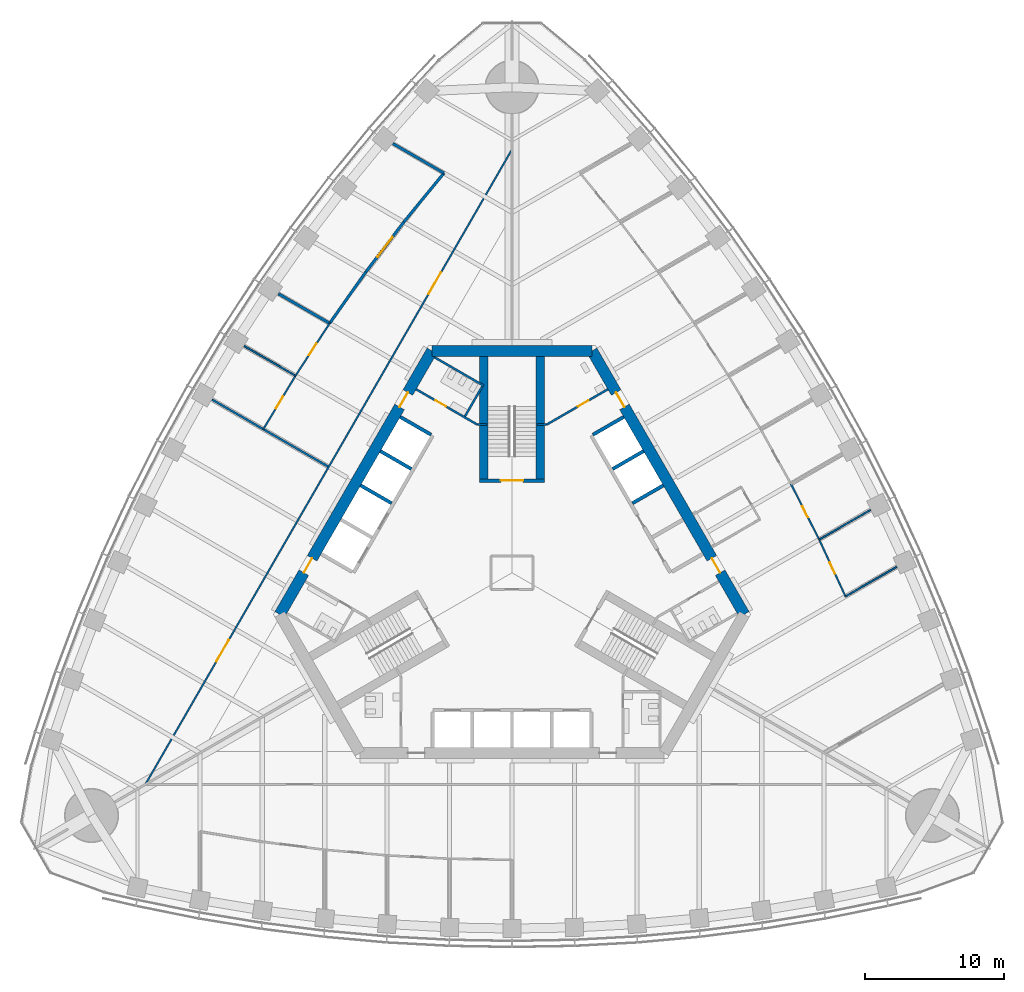
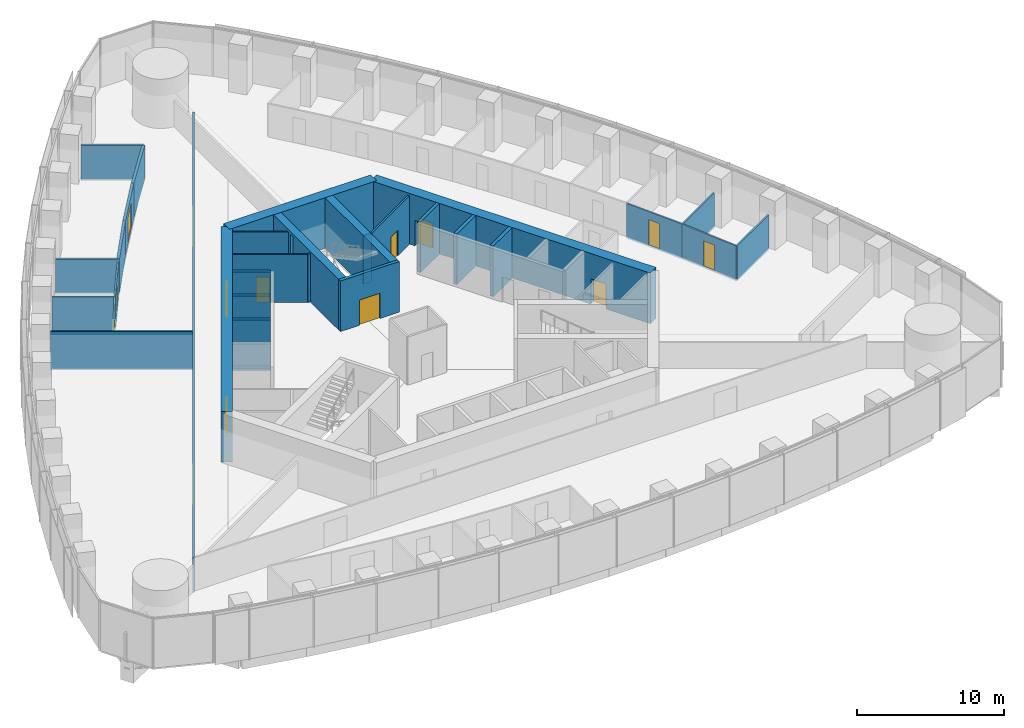
# One storey, part 13 of 19: 32 walls, 14 doors, 14 openings.
"""IFC4 building model written with IfcOpenShell, lengths in metres."""

from ifc_helpers import new_model, si_unit, direction, frame, frame_2d, origin, place, context, subcontext, project, spatial, rectangle, extrude, material, layer, layer_set, type_object, element, fill, save


model = new_model("IFC4")

# Units and contexts
model_context = context("Model", 3, precision=1e-05, world=origin(), true_north=direction((0.0, 1.0)))
body_context = subcontext(model_context, "Body", "Model", "MODEL_VIEW")
ifc_project = project(units=[si_unit("LENGTHUNIT", "METRE"), si_unit("AREAUNIT", "SQUARE_METRE"), si_unit("VOLUMEUNIT", "CUBIC_METRE"), si_unit("PLANEANGLEUNIT", "RADIAN"), si_unit("MASSUNIT", "GRAM", prefix="KILO")], contexts=[model_context])

# Site, building, storey
site_placement = place(None, origin())
site = spatial("IfcSite", under=ifc_project, at=site_placement, CompositionType="ELEMENT")
building_placement = place(site_placement, origin())
building = spatial("IfcBuilding", under=site, at=building_placement, Name="Trefoil Bronze Tower", CompositionType="ELEMENT")
storey_placement = place(building_placement, frame((0.0, 0.0, 136.699951171875)))
storey = spatial("IfcBuildingStorey", under=building, at=storey_placement, Name="L31", CompositionType="ELEMENT", Elevation=136.699951171875)

# Wall
ifc_material_1 = material(Name="Gypsum board on steel studs", Category="steel")
ifc_layer_1 = layer(ifc_material_1, 0.199951171875)
ifc_layer_set_1 = layer_set([ifc_layer_1], Name="Acoustic partition 200")
wall_type_1 = type_object("IfcWallType", Name="Acoustic partition 200", PredefinedType="PARTITIONING", material=ifc_layer_set_1)
wall_1_placement = place(storey_placement, frame((-10.542724609375, 21.67529296875, 0.0), z_axis=(0.0, 0.0, 1.0), x_axis=(-0.575987178736, -0.817458726745, 0.0)))
element("IfcWall", 1, at=wall_1_placement, inside=storey, type_object=wall_type_1, Name="Partition F3 L31", PredefinedType="PARTITIONING", context=body_context, shape_type="SweptSolid", body=[
    extrude(rectangle(XDim=4.518310546875, YDim=0.199951171875, at=frame_2d((2.25927734375, 0.0))), origin(), (0.0, 0.0, 1.0), 2.900146484375),
])

# Wall, opening, door
wall_2_placement = place(storey_placement, frame((-7.797119140625, 25.2861328125, 0.0), z_axis=(0.0, 0.0, 1.0), x_axis=(-0.605274299339, -0.796016973789, 0.0)))
wall_2 = element("IfcWall", 2, at=wall_2_placement, inside=storey, type_object=wall_type_1, Name="Partition F3 L31", PredefinedType="PARTITIONING", context=body_context, shape_type="SweptSolid", body=[
    extrude(rectangle(XDim=4.5361328125, YDim=0.199951171875, at=frame_2d((2.26806640625, 0.0))), origin(), (0.0, 0.0, 1.0), 2.900146484375),
])
opening_1_placement = place(wall_2_placement, frame((1.35009765625, 0.0, 0.14990234375)))
opening_1 = element("IfcOpeningElement", 3, at=opening_1_placement, cuts=wall_2, Name="Opening D10", PredefinedType="OPENING", context=body_context, shape_type="SweptSolid", body=[
    extrude(rectangle(XDim=1.800048828125, YDim=2.10009765625, at=frame_2d((0.89990234375, 1.050048828125))), frame((0.0, 0.10986328125, 0.0), z_axis=(0.0, -1.0, 0.0), x_axis=(1.0, 0.0, 0.0)), (0.0, 0.0, 1.0), 0.219970703125),
])
ifc_material_2 = material(Name="Timber door", Category="wood")
door_type_1 = type_object("IfcDoorType", Name="Double door 1800", OperationType="DOUBLE_DOOR_SINGLE_SWING", PredefinedType="DOOR", material=ifc_material_2)
door_1_placement = place(opening_1_placement, origin())
door_1 = element("IfcDoor", 4, at=door_1_placement, inside=storey, type_object=door_type_1, Name="Training room door F3 L31", OperationType="DOUBLE_DOOR_SINGLE_SWING", OverallHeight=2.10009765625, OverallWidth=1.800048828125, PredefinedType="DOOR", context=body_context, shape_type="SweptSolid", body=[
    extrude(rectangle(XDim=1.800048828125, YDim=2.10009765625, at=frame_2d((0.89990234375, 1.050048828125))), frame((0.0, 0.02490234375, 0.0), z_axis=(0.0, -1.0, 0.0), x_axis=(1.0, 0.0, 0.0)), (0.0, 0.0, 1.0), 0.050048828125),
])
fill(opening_1, door_1)

# Walls
wall_3_placement = place(storey_placement, frame((-4.906494140625, 28.8134765625, 0.0), z_axis=(0.0, 0.0, 1.0), x_axis=(-0.633843962561, -0.773460943503, 0.0)))
element("IfcWall", 5, at=wall_3_placement, inside=storey, type_object=wall_type_1, Name="Partition F3 L31", PredefinedType="PARTITIONING", context=body_context, shape_type="SweptSolid", body=[
    extrude(rectangle(XDim=4.560546875, YDim=0.199951171875, at=frame_2d((2.2802734375, 0.0))), origin(), (0.0, 0.0, 1.0), 2.900146484375),
])
wall_4_placement = place(storey_placement, frame((-4.906494140625, 28.8134765625, 0.0), z_axis=(0.0, 0.0, 1.0), x_axis=(-0.866022790583, 0.50000452617, 0.0)))
element("IfcWall", 6, at=wall_4_placement, inside=storey, type_object=wall_type_1, Name="Partition F3 L31", PredefinedType="PARTITIONING", context=body_context, shape_type="SweptSolid", body=[
    extrude(rectangle(XDim=4.24560546875, YDim=0.199951171875, at=frame_2d((2.122802734375, 0.0))), origin(), (0.0, 0.0, 1.0), 2.900146484375),
])
wall_5_placement = place(storey_placement, frame((-13.145263671875, 17.981689453125, 0.0), z_axis=(0.0, 0.0, 1.0), x_axis=(-0.86602643523, 0.49999821348, 0.0)))
element("IfcWall", 7, at=wall_5_placement, inside=storey, type_object=wall_type_1, Name="Partition F3 L31", PredefinedType="PARTITIONING", context=body_context, shape_type="SweptSolid", body=[
    extrude(rectangle(XDim=4.26611328125, YDim=0.199951171875, at=frame_2d((2.133056640625, 0.0))), origin(), (0.0, 0.0, 1.0), 2.900146484375),
])

# Wall, openings, doors
ifc_material_3 = material(Name="Concrete B80", Category="concrete")
ifc_layer_2 = layer(ifc_material_3, 0.800048828125)
ifc_layer_set_2 = layer_set([ifc_layer_2], Name="Core wall 800")
wall_type_2 = type_object("IfcWallType", Name="Core wall 800", PredefinedType="SHEAR", material=ifc_layer_set_2)
wall_6_placement = place(storey_placement, frame((16.7431640625, -3.0, 0.0), z_axis=(0.0, 0.0, 1.0), x_axis=(-0.500002442456, 0.866023993627, 0.0)))
wall_6 = element("IfcWall", 8, at=wall_6_placement, inside=storey, type_object=wall_type_2, Name="Core long wall 2 L31", PredefinedType="SHEAR", context=body_context, shape_type="SweptSolid", body=[
    extrude(rectangle(XDim=21.939453125, YDim=0.800048828125, at=frame_2d((10.9697265625, 0.0))), origin(), (0.0, 0.0, 1.0), 4.199951171875),
])
opening_2_placement = place(wall_6_placement, frame((17.269775390625, 0.0, 0.0)))
opening_2 = element("IfcOpeningElement", 9, at=opening_2_placement, cuts=wall_6, Name="Opening D2", PredefinedType="OPENING", context=body_context, shape_type="SweptSolid", body=[
    extrude(rectangle(XDim=1.199951171875, YDim=2.10009765625, at=frame_2d((0.60009765625, 1.050048828125))), frame((0.0, 0.409912109375, 0.0), z_axis=(0.0, -1.0, 0.0), x_axis=(1.0, 0.0, 0.0)), (0.0, 0.0, 1.0), 0.820068359375),
])
opening_3_placement = place(wall_6_placement, frame((3.4697265625, 0.0, 0.0)))
opening_3 = element("IfcOpeningElement", 10, at=opening_3_placement, cuts=wall_6, Name="Opening D2", PredefinedType="OPENING", context=body_context, shape_type="SweptSolid", body=[
    extrude(rectangle(XDim=1.199951171875, YDim=2.10009765625, at=frame_2d((0.60009765625, 1.050048828125))), frame((0.0, 0.409912109375, 0.0), z_axis=(0.0, -1.0, 0.0), x_axis=(1.0, 0.0, 0.0)), (0.0, 0.0, 1.0), 0.820068359375),
])
ifc_material_4 = material(Name="Steel door", Category="steel")
door_type_2 = type_object("IfcDoorType", Name="Lobby door 1200", OperationType="SINGLE_SWING_RIGHT", PredefinedType="DOOR", material=ifc_material_4)
door_2_placement = place(opening_2_placement, origin())
door_2 = element("IfcDoor", 11, at=door_2_placement, inside=storey, type_object=door_type_2, Name="Lobby door F2+ L31", OperationType="SINGLE_SWING_RIGHT", OverallHeight=2.10009765625, OverallWidth=1.199951171875, PredefinedType="DOOR", context=body_context, shape_type="SweptSolid", body=[
    extrude(rectangle(XDim=1.199951171875, YDim=2.10009765625, at=frame_2d((0.60009765625, 1.050048828125))), frame((0.0, 0.02490234375, 0.0), z_axis=(0.0, -1.0, 0.0), x_axis=(1.0, 0.0, 0.0)), (0.0, 0.0, 1.0), 0.050048828125),
])
fill(opening_2, door_2)
door_3_placement = place(opening_3_placement, origin())
door_3 = element("IfcDoor", 12, at=door_3_placement, inside=storey, type_object=door_type_2, Name="Lobby door F2- L31", OperationType="SINGLE_SWING_LEFT", OverallHeight=2.10009765625, OverallWidth=1.199951171875, PredefinedType="DOOR", context=body_context, shape_type="SweptSolid", body=[
    extrude(rectangle(XDim=1.199951171875, YDim=2.10009765625, at=frame_2d((0.60009765625, 1.050048828125))), frame((0.0, 0.02490234375, 0.0), z_axis=(0.0, -1.0, 0.0), x_axis=(1.0, 0.0, 0.0)), (0.0, 0.0, 1.0), 0.050048828125),
])
fill(opening_3, door_3)

# Wall
wall_7_placement = place(storey_placement, frame((5.7734375, 16.0, 0.0), z_axis=(0.0, 0.0, 1.0), x_axis=(-1.0, 0.0, 0.0)))
element("IfcWall", 13, at=wall_7_placement, inside=storey, type_object=wall_type_2, Name="Core short wall 2 L31", PredefinedType="SHEAR", context=body_context, shape_type="SweptSolid", body=[
    extrude(rectangle(XDim=11.546875, YDim=0.800048828125, at=frame_2d((5.7734375, 0.0))), origin(), (0.0, 0.0, 1.0), 4.199951171875),
])

# Wall, openings, doors
wall_8_placement = place(storey_placement, frame((-5.7734375, 16.0, 0.0), z_axis=(0.0, 0.0, 1.0), x_axis=(-0.500002442456, -0.866023993627, 0.0)))
wall_8 = element("IfcWall", 14, at=wall_8_placement, inside=storey, type_object=wall_type_2, Name="Core long wall 3 L31", PredefinedType="SHEAR", context=body_context, shape_type="SweptSolid", body=[
    extrude(rectangle(XDim=21.939453125, YDim=0.800048828125, at=frame_2d((10.9697265625, 0.0))), origin(), (0.0, 0.0, 1.0), 4.199951171875),
])
opening_4_placement = place(wall_8_placement, frame((17.269775390625, 0.0, 0.0)))
opening_4 = element("IfcOpeningElement", 15, at=opening_4_placement, cuts=wall_8, Name="Opening D2", PredefinedType="OPENING", context=body_context, shape_type="SweptSolid", body=[
    extrude(rectangle(XDim=1.199951171875, YDim=2.10009765625, at=frame_2d((0.60009765625, 1.050048828125))), frame((0.0, 0.409912109375, 0.0), z_axis=(0.0, -1.0, 0.0), x_axis=(1.0, 0.0, 0.0)), (0.0, 0.0, 1.0), 0.820068359375),
])
opening_5_placement = place(wall_8_placement, frame((3.4697265625, 0.0, 0.0)))
opening_5 = element("IfcOpeningElement", 16, at=opening_5_placement, cuts=wall_8, Name="Opening D2", PredefinedType="OPENING", context=body_context, shape_type="SweptSolid", body=[
    extrude(rectangle(XDim=1.199951171875, YDim=2.10009765625, at=frame_2d((0.60009765625, 1.050048828125))), frame((0.0, 0.409912109375, 0.0), z_axis=(0.0, -1.0, 0.0), x_axis=(1.0, 0.0, 0.0)), (0.0, 0.0, 1.0), 0.820068359375),
])
door_4_placement = place(opening_4_placement, origin())
door_4 = element("IfcDoor", 17, at=door_4_placement, inside=storey, type_object=door_type_2, Name="Lobby door F3+ L31", OperationType="SINGLE_SWING_RIGHT", OverallHeight=2.10009765625, OverallWidth=1.199951171875, PredefinedType="DOOR", context=body_context, shape_type="SweptSolid", body=[
    extrude(rectangle(XDim=1.199951171875, YDim=2.10009765625, at=frame_2d((0.60009765625, 1.050048828125))), frame((0.0, 0.02490234375, 0.0), z_axis=(0.0, -1.0, 0.0), x_axis=(1.0, 0.0, 0.0)), (0.0, 0.0, 1.0), 0.050048828125),
])
fill(opening_4, door_4)
door_5_placement = place(opening_5_placement, origin())
door_5 = element("IfcDoor", 18, at=door_5_placement, inside=storey, type_object=door_type_2, Name="Lobby door F3- L31", OperationType="SINGLE_SWING_LEFT", OverallHeight=2.10009765625, OverallWidth=1.199951171875, PredefinedType="DOOR", context=body_context, shape_type="SweptSolid", body=[
    extrude(rectangle(XDim=1.199951171875, YDim=2.10009765625, at=frame_2d((0.60009765625, 1.050048828125))), frame((0.0, 0.02490234375, 0.0), z_axis=(0.0, -1.0, 0.0), x_axis=(1.0, 0.0, 0.0)), (0.0, 0.0, 1.0), 0.050048828125),
])
fill(opening_5, door_5)

# Wall, opening, door
ifc_material_5 = material(Name="Glazed partition", Category="glass")
ifc_layer_3 = layer(ifc_material_5, 0.1201171875)
ifc_layer_set_3 = layer_set([ifc_layer_3], Name="Glazed partition 120")
wall_type_3 = type_object("IfcWallType", Name="Glazed partition 120", PredefinedType="PARTITIONING", material=ifc_layer_set_3)
wall_9_placement = place(storey_placement, frame((24.042724609375, -1.70751953125, 0.0), z_axis=(0.0, 0.0, 1.0), x_axis=(-0.41992827805, 0.90755729367, 0.0)))
wall_9 = element("IfcWall", 19, at=wall_9_placement, inside=storey, type_object=wall_type_3, Name="Partition F2 L31", PredefinedType="PARTITIONING", context=body_context, shape_type="SweptSolid", body=[
    extrude(rectangle(XDim=4.5185546875, YDim=0.1201171875, at=frame_2d((2.25927734375, 0.0))), origin(), (0.0, 0.0, 1.0), 2.900146484375),
])
opening_6_placement = place(wall_9_placement, frame((1.800048828125, 0.0, 0.14990234375)))
opening_6 = element("IfcOpeningElement", 20, at=opening_6_placement, cuts=wall_9, Name="Opening D8", PredefinedType="OPENING", context=body_context, shape_type="SweptSolid", body=[
    extrude(rectangle(XDim=0.89990234375, YDim=2.10009765625, at=frame_2d((0.449951171875, 1.050048828125))), frame((0.0, 0.070068359375, 0.0), z_axis=(0.0, -1.0, 0.0), x_axis=(1.0, 0.0, 0.0)), (0.0, 0.0, 1.0), 0.14013671875),
])
ifc_material_6 = material(Name="Timber door", Category="wood")
door_type_3 = type_object("IfcDoorType", Name="Office door 900", OperationType="SINGLE_SWING_LEFT", PredefinedType="DOOR", material=ifc_material_6)
door_6_placement = place(opening_6_placement, frame((0.89990234375, 0.0, 0.0), z_axis=(0.0, 0.0, 1.0), x_axis=(-1.0, 0.0, 0.0)))
door_6 = element("IfcDoor", 21, at=door_6_placement, inside=storey, type_object=door_type_3, Name="Office door F2 L31", OperationType="SINGLE_SWING_RIGHT", OverallHeight=2.10009765625, OverallWidth=0.89990234375, PredefinedType="DOOR", context=body_context, shape_type="SweptSolid", body=[
    extrude(rectangle(XDim=0.89990234375, YDim=2.10009765625, at=frame_2d((0.449951171875, 1.050048828125))), frame((0.0, 0.02490234375, 0.0), z_axis=(0.0, -1.0, 0.0), x_axis=(1.0, 0.0, 0.0)), (0.0, 0.0, 1.0), 0.050048828125),
])
fill(opening_6, door_6)

wall_10_placement = place(storey_placement, frame((22.145263671875, 2.393310546875, 0.0), z_axis=(0.0, 0.0, 1.0), x_axis=(-0.452471679136, 0.891778772779, 0.0)))
wall_10 = element("IfcWall", 22, at=wall_10_placement, inside=storey, type_object=wall_type_3, Name="Partition F2 L31", PredefinedType="PARTITIONING", context=body_context, shape_type="SweptSolid", body=[
    extrude(rectangle(XDim=4.506591796875, YDim=0.1201171875, at=frame_2d((2.25341796875, 0.0))), origin(), (0.0, 0.0, 1.0), 2.900146484375),
])
opening_7_placement = place(wall_10_placement, frame((1.800048828125, 0.0, 0.14990234375)))
opening_7 = element("IfcOpeningElement", 23, at=opening_7_placement, cuts=wall_10, Name="Opening D8", PredefinedType="OPENING", context=body_context, shape_type="SweptSolid", body=[
    extrude(rectangle(XDim=0.89990234375, YDim=2.10009765625, at=frame_2d((0.449951171875, 1.050048828125))), frame((0.0, 0.070068359375, 0.0), z_axis=(0.0, -1.0, 0.0), x_axis=(1.0, 0.0, 0.0)), (0.0, 0.0, 1.0), 0.14013671875),
])
door_7_placement = place(opening_7_placement, frame((0.89990234375, 0.0, 0.0), z_axis=(0.0, 0.0, 1.0), x_axis=(-1.0, 0.0, 0.0)))
door_7 = element("IfcDoor", 24, at=door_7_placement, inside=storey, type_object=door_type_3, Name="Office door F2 L31", OperationType="SINGLE_SWING_RIGHT", OverallHeight=2.10009765625, OverallWidth=0.89990234375, PredefinedType="DOOR", context=body_context, shape_type="SweptSolid", body=[
    extrude(rectangle(XDim=0.89990234375, YDim=2.10009765625, at=frame_2d((0.449951171875, 1.050048828125))), frame((0.0, 0.02490234375, 0.0), z_axis=(0.0, -1.0, 0.0), x_axis=(1.0, 0.0, 0.0)), (0.0, 0.0, 1.0), 0.050048828125),
])
fill(opening_7, door_7)

# Walls
wall_11_placement = place(storey_placement, frame((24.042724609375, -1.70751953125, 0.0), z_axis=(0.0, 0.0, 1.0), x_axis=(0.866006218662, 0.500033228135, 0.0)))
element("IfcWall", 25, at=wall_11_placement, inside=storey, type_object=wall_type_3, Name="Partition F2 L31", PredefinedType="PARTITIONING", context=body_context, shape_type="SweptSolid", body=[
    extrude(rectangle(XDim=4.261474609375, YDim=0.1201171875, at=frame_2d((2.130859375, 0.0))), origin(), (0.0, 0.0, 1.0), 2.900146484375),
])
wall_12_placement = place(storey_placement, frame((22.145263671875, 2.393310546875, 0.0), z_axis=(0.0, 0.0, 1.0), x_axis=(0.86602643523, 0.49999821348, 0.0)))
element("IfcWall", 26, at=wall_12_placement, inside=storey, type_object=wall_type_3, Name="Partition F2 L31", PredefinedType="PARTITIONING", context=body_context, shape_type="SweptSolid", body=[
    extrude(rectangle(XDim=4.26611328125, YDim=0.1201171875, at=frame_2d((2.133056640625, 0.0))), origin(), (0.0, 0.0, 1.0), 2.900146484375),
])

# Wall, openings, doors
wall_13_placement = place(storey_placement, frame((-0.016357421875, 30.491455078125, 0.0), z_axis=(0.0, 0.0, 1.0), x_axis=(-0.50000091641, -0.866024874695, 0.0)))
wall_13 = element("IfcWall", 27, at=wall_13_placement, inside=storey, type_object=wall_type_3, Name="Partition F3 L31", PredefinedType="PARTITIONING", context=body_context, shape_type="SweptSolid", body=[
    extrude(rectangle(XDim=52.79638671875, YDim=0.1201171875, at=frame_2d((26.398193359375, 0.0))), origin(), (0.0, 0.0, 1.0), 2.900146484375),
])
opening_8_placement = place(wall_13_placement, frame((10.199951171875, 0.0, 0.14990234375)))
opening_8 = element("IfcOpeningElement", 28, at=opening_8_placement, cuts=wall_13, Name="Opening D10", PredefinedType="OPENING", context=body_context, shape_type="SweptSolid", body=[
    extrude(rectangle(XDim=1.800048828125, YDim=2.10009765625, at=frame_2d((0.89990234375, 1.050048828125))), frame((0.0, 0.070068359375, 0.0), z_axis=(0.0, -1.0, 0.0), x_axis=(1.0, 0.0, 0.0)), (0.0, 0.0, 1.0), 0.14013671875),
])
opening_9_placement = place(wall_13_placement, frame((40.800048828125, 0.0, 0.14990234375)))
opening_9 = element("IfcOpeningElement", 29, at=opening_9_placement, cuts=wall_13, Name="Opening D10", PredefinedType="OPENING", context=body_context, shape_type="SweptSolid", body=[
    extrude(rectangle(XDim=1.800048828125, YDim=2.10009765625, at=frame_2d((0.89990234375, 1.050048828125))), frame((0.0, 0.070068359375, 0.0), z_axis=(0.0, -1.0, 0.0), x_axis=(1.0, 0.0, 0.0)), (0.0, 0.0, 1.0), 0.14013671875),
])
door_8_placement = place(opening_8_placement, origin())
door_8 = element("IfcDoor", 30, at=door_8_placement, inside=storey, type_object=door_type_1, Name="Corridor door F3 L31", OperationType="DOUBLE_DOOR_SINGLE_SWING", OverallHeight=2.10009765625, OverallWidth=1.800048828125, PredefinedType="DOOR", context=body_context, shape_type="SweptSolid", body=[
    extrude(rectangle(XDim=1.800048828125, YDim=2.10009765625, at=frame_2d((0.89990234375, 1.050048828125))), frame((0.0, 0.02490234375, 0.0), z_axis=(0.0, -1.0, 0.0), x_axis=(1.0, 0.0, 0.0)), (0.0, 0.0, 1.0), 0.050048828125),
])
fill(opening_8, door_8)
door_9_placement = place(opening_9_placement, origin())
door_9 = element("IfcDoor", 31, at=door_9_placement, inside=storey, type_object=door_type_1, Name="Corridor door F3 L31", OperationType="DOUBLE_DOOR_SINGLE_SWING", OverallHeight=2.10009765625, OverallWidth=1.800048828125, PredefinedType="DOOR", context=body_context, shape_type="SweptSolid", body=[
    extrude(rectangle(XDim=1.800048828125, YDim=2.10009765625, at=frame_2d((0.89990234375, 1.050048828125))), frame((0.0, 0.02490234375, 0.0), z_axis=(0.0, -1.0, 0.0), x_axis=(1.0, 0.0, 0.0)), (0.0, 0.0, 1.0), 0.050048828125),
])
fill(opening_9, door_9)

# Wall, opening, door
wall_14_placement = place(storey_placement, frame((-15.606201171875, 14.206298828125, 0.0), z_axis=(0.0, 0.0, 1.0), x_axis=(-0.515548366618, -0.856860479703, 0.0)))
wall_14 = element("IfcWall", 32, at=wall_14_placement, inside=storey, type_object=wall_type_3, Name="Partition F3 L31", PredefinedType="PARTITIONING", context=body_context, shape_type="SweptSolid", body=[
    extrude(rectangle(XDim=4.500732421875, YDim=0.1201171875, at=frame_2d((2.25048828125, 0.0))), origin(), (0.0, 0.0, 1.0), 2.900146484375),
])
opening_10_placement = place(wall_14_placement, frame((1.75, 0.0, 0.14990234375)))
opening_10 = element("IfcOpeningElement", 33, at=opening_10_placement, cuts=wall_14, Name="Opening D9", PredefinedType="OPENING", context=body_context, shape_type="SweptSolid", body=[
    extrude(rectangle(XDim=1.0, YDim=2.10009765625, at=frame_2d((0.5, 1.050048828125))), frame((0.0, 0.070068359375, 0.0), z_axis=(0.0, -1.0, 0.0), x_axis=(1.0, 0.0, 0.0)), (0.0, 0.0, 1.0), 0.14013671875),
])
ifc_material_7 = material(Name="Glazed timber door", Category="wood")
door_type_4 = type_object("IfcDoorType", Name="Meeting room door 1000", OperationType="SINGLE_SWING_LEFT", PredefinedType="DOOR", material=ifc_material_7)
door_10_placement = place(opening_10_placement, frame((1.0, 0.0, 0.0), z_axis=(0.0, 0.0, 1.0), x_axis=(-1.0, 0.0, 0.0)))
door_10 = element("IfcDoor", 34, at=door_10_placement, inside=storey, type_object=door_type_4, Name="Meeting room door F3 L31", OperationType="SINGLE_SWING_RIGHT", OverallHeight=2.10009765625, OverallWidth=1.0, PredefinedType="DOOR", context=body_context, shape_type="SweptSolid", body=[
    extrude(rectangle(XDim=1.0, YDim=2.10009765625, at=frame_2d((0.5, 1.050048828125))), frame((0.0, 0.02490234375, 0.0), z_axis=(0.0, -1.0, 0.0), x_axis=(1.0, 0.0, 0.0)), (0.0, 0.0, 1.0), 0.050048828125),
])
fill(opening_10, door_10)

wall_15_placement = place(storey_placement, frame((-13.145263671875, 17.981689453125, 0.0), z_axis=(0.0, 0.0, 1.0), x_axis=(-0.546069464151, -0.837739900161, 0.0)))
wall_15 = element("IfcWall", 35, at=wall_15_placement, inside=storey, type_object=wall_type_3, Name="Partition F3 L31", PredefinedType="PARTITIONING", context=body_context, shape_type="SweptSolid", body=[
    extrude(rectangle(XDim=4.506591796875, YDim=0.1201171875, at=frame_2d((2.25341796875, 0.0))), origin(), (0.0, 0.0, 1.0), 2.900146484375),
])
opening_11_placement = place(wall_15_placement, frame((1.75, 0.0, 0.14990234375)))
opening_11 = element("IfcOpeningElement", 36, at=opening_11_placement, cuts=wall_15, Name="Opening D9", PredefinedType="OPENING", context=body_context, shape_type="SweptSolid", body=[
    extrude(rectangle(XDim=1.0, YDim=2.10009765625, at=frame_2d((0.5, 1.050048828125))), frame((0.0, 0.070068359375, 0.0), z_axis=(0.0, -1.0, 0.0), x_axis=(1.0, 0.0, 0.0)), (0.0, 0.0, 1.0), 0.14013671875),
])
door_11_placement = place(opening_11_placement, frame((1.0, 0.0, 0.0), z_axis=(0.0, 0.0, 1.0), x_axis=(-1.0, 0.0, 0.0)))
door_11 = element("IfcDoor", 37, at=door_11_placement, inside=storey, type_object=door_type_4, Name="Meeting room door F3 L31", OperationType="SINGLE_SWING_RIGHT", OverallHeight=2.10009765625, OverallWidth=1.0, PredefinedType="DOOR", context=body_context, shape_type="SweptSolid", body=[
    extrude(rectangle(XDim=1.0, YDim=2.10009765625, at=frame_2d((0.5, 1.050048828125))), frame((0.0, 0.02490234375, 0.0), z_axis=(0.0, -1.0, 0.0), x_axis=(1.0, 0.0, 0.0)), (0.0, 0.0, 1.0), 0.050048828125),
])
fill(opening_11, door_11)

# Wall
wall_16_placement = place(storey_placement, frame((-15.606201171875, 14.206298828125, 0.0), z_axis=(0.0, 0.0, 1.0), x_axis=(-0.866020825576, 0.500007929605, 0.0)))
element("IfcWall", 38, at=wall_16_placement, inside=storey, type_object=wall_type_3, Name="Partition F3 L31", PredefinedType="PARTITIONING", context=body_context, shape_type="SweptSolid", body=[
    extrude(rectangle(XDim=4.26904296875, YDim=0.1201171875, at=frame_2d((2.134521484375, 0.0))), origin(), (0.0, 0.0, 1.0), 2.900146484375),
])

# Wall, opening, door
ifc_material_8 = material(Name="Gypsum board on steel studs", Category="steel")
ifc_layer_4 = layer(ifc_material_8, 0.14990234375)
ifc_layer_set_4 = layer_set([ifc_layer_4], Name="Partition 150")
wall_type_4 = type_object("IfcWallType", Name="Partition 150", PredefinedType="PARTITIONING", material=ifc_layer_set_4)
wall_17_placement = place(storey_placement, frame((2.4951171875, 10.67822265625, 0.0), z_axis=(0.0, 0.0, 1.0), x_axis=(0.86602216432, 0.500005610874, 0.0)))
wall_17 = element("IfcWall", 39, at=wall_17_placement, inside=storey, type_object=wall_type_4, Name="Passage wall F2+ L31", PredefinedType="PARTITIONING", context=body_context, shape_type="SweptSolid", body=[
    extrude(rectangle(XDim=5.10009765625, YDim=0.14990234375, at=frame_2d((2.550048828125, 0.0))), origin(), (0.0, 0.0, 1.0), 4.0),
])
opening_12_placement = place(wall_17_placement, frame((2.60009765625, 0.0, 0.0)))
opening_12 = element("IfcOpeningElement", 40, at=opening_12_placement, cuts=wall_17, Name="Opening D3", PredefinedType="OPENING", context=body_context, shape_type="SweptSolid", body=[
    extrude(rectangle(XDim=0.89990234375, YDim=2.10009765625, at=frame_2d((0.449951171875, 1.050048828125))), frame((0.0, 0.0849609375, 0.0), z_axis=(0.0, -1.0, 0.0), x_axis=(1.0, 0.0, 0.0)), (0.0, 0.0, 1.0), 0.169921875),
])
ifc_material_9 = material(Name="Timber door", Category="wood")
door_type_5 = type_object("IfcDoorType", Name="WC door 900", OperationType="SINGLE_SWING_LEFT", PredefinedType="DOOR", material=ifc_material_9)
door_12_placement = place(opening_12_placement, origin())
door_12 = element("IfcDoor", 41, at=door_12_placement, inside=storey, type_object=door_type_5, Name="Accessible WC door L31", OperationType="SINGLE_SWING_RIGHT", OverallHeight=2.10009765625, OverallWidth=0.89990234375, PredefinedType="DOOR", context=body_context, shape_type="SweptSolid", body=[
    extrude(rectangle(XDim=0.89990234375, YDim=2.10009765625, at=frame_2d((0.449951171875, 1.050048828125))), frame((0.0, 0.02490234375, 0.0), z_axis=(0.0, -1.0, 0.0), x_axis=(1.0, 0.0, 0.0)), (0.0, 0.0, 1.0), 0.050048828125),
])
fill(opening_12, door_12)

wall_18_placement = place(storey_placement, frame((-2.4951171875, 10.67822265625, 0.0), z_axis=(0.0, 0.0, 1.0), x_axis=(-0.86602216432, 0.500005610874, 0.0)))
wall_18 = element("IfcWall", 42, at=wall_18_placement, inside=storey, type_object=wall_type_4, Name="Passage wall F3- L31", PredefinedType="PARTITIONING", context=body_context, shape_type="SweptSolid", body=[
    extrude(rectangle(XDim=5.10009765625, YDim=0.14990234375, at=frame_2d((2.550048828125, 0.0))), origin(), (0.0, 0.0, 1.0), 4.0),
])
opening_13_placement = place(wall_18_placement, frame((2.60009765625, 0.0, 0.0)))
opening_13 = element("IfcOpeningElement", 43, at=opening_13_placement, cuts=wall_18, Name="Opening D3", PredefinedType="OPENING", context=body_context, shape_type="SweptSolid", body=[
    extrude(rectangle(XDim=0.89990234375, YDim=2.10009765625, at=frame_2d((0.449951171875, 1.050048828125))), frame((0.0, 0.0849609375, 0.0), z_axis=(0.0, -1.0, 0.0), x_axis=(1.0, 0.0, 0.0)), (0.0, 0.0, 1.0), 0.169921875),
])
door_13_placement = place(opening_13_placement, frame((0.89990234375, 0.0, 0.0), z_axis=(0.0, 0.0, 1.0), x_axis=(-1.0, 0.0, 0.0)))
door_13 = element("IfcDoor", 44, at=door_13_placement, inside=storey, type_object=door_type_5, Name="WC (women) door L31", OperationType="SINGLE_SWING_RIGHT", OverallHeight=2.10009765625, OverallWidth=0.89990234375, PredefinedType="DOOR", context=body_context, shape_type="SweptSolid", body=[
    extrude(rectangle(XDim=0.89990234375, YDim=2.10009765625, at=frame_2d((0.449951171875, 1.050048828125))), frame((0.0, 0.02490234375, 0.0), z_axis=(0.0, -1.0, 0.0), x_axis=(1.0, 0.0, 0.0)), (0.0, 0.0, 1.0), 0.050048828125),
])
fill(opening_13, door_13)

# Walls
for number, where, z_axis, x_axis, name in (
    (45, (2.4951171875, 10.67822265625, 0.0), (0.0, 0.0, 1.0), (-1.0, 0.0, 0.0), "WC wall ST2-1 L31"),
    (46, (-2.4951171875, 10.67822265625, 0.0), (0.0, 0.0, 1.0), (1.0, 0.0, 0.0), "WC wall ST2+1 L31"),
):
    element("IfcWall", number, at=place(storey_placement, frame(where, z_axis=z_axis, x_axis=x_axis)), inside=storey, type_object=wall_type_4, Name=name, PredefinedType="PARTITIONING", context=body_context, shape_type="SweptSolid", body=[
        extrude(rectangle(XDim=0.64501953125, YDim=0.14990234375, at=frame_2d((0.322509765625, 0.0))), origin(), (0.0, 0.0, 1.0), 4.0),
    ])
wall_19_placement = place(storey_placement, frame((-2.03125, 13.48193359375, 0.0), z_axis=(0.0, 0.0, 1.0), x_axis=(-0.866050731258, 0.499956128963, 0.0)))
element("IfcWall", 47, at=wall_19_placement, inside=storey, type_object=wall_type_4, Name="WC partition WC (women) L31", PredefinedType="PARTITIONING", context=body_context, shape_type="SweptSolid", body=[
    extrude(rectangle(XDim=4.099853515625, YDim=0.14990234375, at=frame_2d((2.0498046875, 0.0))), origin(), (0.0, 0.0, 1.0), 4.0),
])
wall_20_placement = place(storey_placement, frame((-3.388671875, 11.28076171875, 0.0), z_axis=(0.0, 0.0, 1.0), x_axis=(0.499989096993, 0.866031698547, 0.0)))
element("IfcWall", 48, at=wall_20_placement, inside=storey, type_object=wall_type_4, Name="WC partition WC (women) L31", PredefinedType="PARTITIONING", context=body_context, shape_type="SweptSolid", body=[
    extrude(rectangle(XDim=2.509765625, YDim=0.14990234375, at=frame_2d((1.2548828125, 0.0))), origin(), (0.0, 0.0, 1.0), 4.0),
])
ifc_material_10 = material(Name="Gypsum board on steel studs", Category="steel")
ifc_layer_5 = layer(ifc_material_10, 0.14990234375)
ifc_layer_set_5 = layer_set([ifc_layer_5], Name="Party wall 150")
wall_type_5 = type_object("IfcWallType", Name="Party wall 150", PredefinedType="PARTITIONING", material=ifc_layer_set_5)
wall_21_placement = place(storey_placement, frame((-13.267578125, 7.659912109375, 0.0), z_axis=(0.0, 0.0, 1.0), x_axis=(-0.866015788683, 0.500016653474, 0.0)))
element("IfcWall", 49, at=wall_21_placement, inside=storey, type_object=wall_type_5, Name="Demising wall F3 L31", PredefinedType="PARTITIONING", context=body_context, shape_type="SweptSolid", body=[
    extrude(rectangle(XDim=9.649658203125, YDim=0.14990234375, at=frame_2d((4.82470703125, 0.0))), origin(), (0.0, 0.0, 1.0), 3.199951171875),
])
ifc_material_11 = material(Name="Concrete B80", Category="concrete")
ifc_layer_6 = layer(ifc_material_11, 0.25)
ifc_layer_set_6 = layer_set([ifc_layer_6], Name="Shaft wall 250")
wall_type_6 = type_object("IfcWallType", Name="Shaft wall 250", PredefinedType="SHEAR", material=ifc_layer_set_6)
for number, where, z_axis, x_axis, name in (
    (50, (8.681884765625, 5.012451171875, 0.0), (0.0, 0.0, 1.0), (0.866005588531, 0.500034319456, 0.0), "Lift shaft side wall B2 L31"),
    (51, (7.2568359375, 7.480712890625, 0.0), (0.0, 0.0, 1.0), (0.866046643894, 0.499963209246, 0.0), "Lift shaft side wall B3 L31"),
):
    element("IfcWall", number, at=place(storey_placement, frame(where, z_axis=z_axis, x_axis=x_axis)), inside=storey, type_object=wall_type_6, Name=name, PredefinedType="SHEAR", context=body_context, shape_type="SweptSolid", body=[
        extrude(rectangle(XDim=2.574951171875, YDim=0.25, at=frame_2d((1.28759765625, 0.0))), origin(), (0.0, 0.0, 1.0), 4.199951171875),
    ])
for number, where, z_axis, x_axis, name in (
    (52, (5.831787109375, 9.94873046875, 0.0), (0.0, 0.0, 1.0), (0.866029291668, 0.499993265928, 0.0), "Lift shaft side wall B4 L31"),
    (53, (-5.831787109375, 9.94873046875, 0.0), (0.0, 0.0, 1.0), (-0.866029291668, 0.499993265928, 0.0), "Lift shaft side wall C0 L31"),
):
    element("IfcWall", number, at=place(storey_placement, frame(where, z_axis=z_axis, x_axis=x_axis)), inside=storey, type_object=wall_type_6, Name=name, PredefinedType="SHEAR", context=body_context, shape_type="SweptSolid", body=[
        extrude(rectangle(XDim=2.5751953125, YDim=0.25, at=frame_2d((1.28759765625, 0.0))), origin(), (0.0, 0.0, 1.0), 4.199951171875),
    ])
for number, where, z_axis, x_axis, name in (
    (54, (-7.2568359375, 7.480712890625, 0.0), (0.0, 0.0, 1.0), (-0.866046643894, 0.499963209246, 0.0), "Lift shaft side wall C1 L31"),
    (55, (-8.681884765625, 5.012451171875, 0.0), (0.0, 0.0, 1.0), (-0.866005588531, 0.500034319456, 0.0), "Lift shaft side wall C2 L31"),
):
    element("IfcWall", number, at=place(storey_placement, frame(where, z_axis=z_axis, x_axis=x_axis)), inside=storey, type_object=wall_type_6, Name=name, PredefinedType="SHEAR", context=body_context, shape_type="SweptSolid", body=[
        extrude(rectangle(XDim=2.574951171875, YDim=0.25, at=frame_2d((1.28759765625, 0.0))), origin(), (0.0, 0.0, 1.0), 4.199951171875),
    ])

# Wall, opening, door
wall_22_placement = place(storey_placement, frame((2.324951171875, 6.64990234375, 0.0), z_axis=(0.0, 0.0, 1.0), x_axis=(-1.0, 0.0, 0.0)))
wall_22 = element("IfcWall", 56, at=wall_22_placement, inside=storey, type_object=wall_type_6, Name="Stair end wall ST2 L31", PredefinedType="SHEAR", context=body_context, shape_type="SweptSolid", body=[
    extrude(rectangle(XDim=4.64990234375, YDim=0.25, at=frame_2d((2.324951171875, 0.0))), origin(), (0.0, 0.0, 1.0), 4.199951171875),
])
opening_14_placement = place(wall_22_placement, frame((1.52490234375, 0.0, 0.0)))
opening_14 = element("IfcOpeningElement", 57, at=opening_14_placement, cuts=wall_22, Name="Opening D1", PredefinedType="OPENING", context=body_context, shape_type="SweptSolid", body=[
    extrude(rectangle(XDim=1.60009765625, YDim=2.10009765625, at=frame_2d((0.800048828125, 1.050048828125))), frame((0.0, 0.135009765625, 0.0), z_axis=(0.0, -1.0, 0.0), x_axis=(1.0, 0.0, 0.0)), (0.0, 0.0, 1.0), 0.27001953125),
])
ifc_material_12 = material(Name="Steel door", Category="steel")
door_type_6 = type_object("IfcDoorType", Name="Stair door 1600", OperationType="DOUBLE_DOOR_SINGLE_SWING", PredefinedType="DOOR", material=ifc_material_12)
door_14_placement = place(opening_14_placement, frame((1.60009765625, 0.0, 0.0), z_axis=(0.0, 0.0, 1.0), x_axis=(-1.0, 0.0, 0.0)))
door_14 = element("IfcDoor", 58, at=door_14_placement, inside=storey, type_object=door_type_6, Name="Stair door ST2 L31", OperationType="DOUBLE_DOOR_SINGLE_SWING", OverallHeight=2.10009765625, OverallWidth=1.60009765625, PredefinedType="DOOR", context=body_context, shape_type="SweptSolid", body=[
    extrude(rectangle(XDim=1.60009765625, YDim=2.10009765625, at=frame_2d((0.800048828125, 1.050048828125))), frame((0.0, 0.02490234375, 0.0), z_axis=(0.0, -1.0, 0.0), x_axis=(1.0, 0.0, 0.0)), (0.0, 0.0, 1.0), 0.050048828125),
])
fill(opening_14, door_14)

# Walls
ifc_material_13 = material(Name="Concrete B80", Category="concrete")
ifc_layer_7 = layer(ifc_material_13, 0.60009765625)
ifc_layer_set_7 = layer_set([ifc_layer_7], Name="Stair wall 600")
wall_type_7 = type_object("IfcWallType", Name="Stair wall 600", PredefinedType="SHEAR", material=ifc_layer_set_7)
for number, where, z_axis, x_axis, name in (
    (59, (2.02490234375, 6.52490234375, 0.0), (0.0, 0.0, 1.0), (0.0, 1.0, 0.0), "Stair wall ST2 L31"),
    (60, (-2.02490234375, 6.52490234375, 0.0), (0.0, 0.0, 1.0), (0.0, 1.0, 0.0), "Stair wall ST2 L31"),
):
    element("IfcWall", number, at=place(storey_placement, frame(where, z_axis=z_axis, x_axis=x_axis)), inside=storey, type_object=wall_type_7, Name=name, PredefinedType="SHEAR", context=body_context, shape_type="SweptSolid", body=[
        extrude(rectangle(XDim=9.0751953125, YDim=0.60009765625, at=frame_2d((4.53759765625, 0.0))), origin(), (0.0, 0.0, 1.0), 4.199951171875),
    ])

save(model, "model.ifc")
